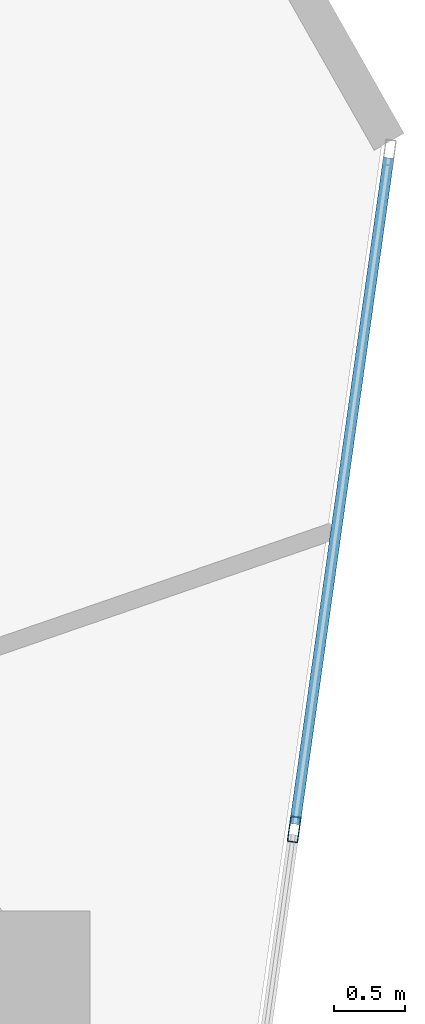
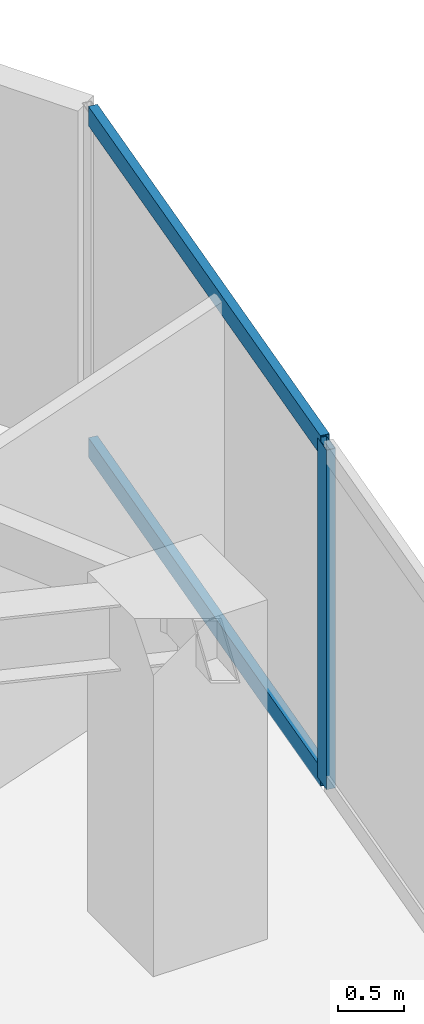
# One storey, part 13 of 21: 3 members, 1 element without a shape of its own.
"""IFC4 building model written with IfcOpenShell, lengths in metres."""

from ifc_helpers import new_model, si_unit, direction, frame, origin, origin_2d, place, context, subcontext, project, spatial, hollow_rectangle, extrude, source, transform, mapped, material, layer, layer_set, material_profile, profile_set, type_object, type_shapes, element, aggregate, save


model = new_model("IFC4")

# Units and contexts
model_context = context("Model", 3, precision=1e-05, world=origin(), true_north=direction((0.0, 1.0)))
body_context = subcontext(model_context, "Body", "Model", "MODEL_VIEW")
ifc_project = project(units=[si_unit("LENGTHUNIT", "METRE"), si_unit("AREAUNIT", "SQUARE_METRE"), si_unit("VOLUMEUNIT", "CUBIC_METRE"), si_unit("PLANEANGLEUNIT", "RADIAN"), si_unit("MASSUNIT", "GRAM", prefix="KILO")], contexts=[model_context])

# Site, building, storey
site_placement = place(None, origin())
site = spatial("IfcSite", under=ifc_project, at=site_placement, CompositionType="ELEMENT")
building_placement = place(site_placement, origin())
building = spatial("IfcBuilding", under=site, at=building_placement, Name="Talar Marvaseh", CompositionType="ELEMENT")
storey_placement = place(building_placement, frame((0.0, 0.0, 232.699951171875)))
storey = spatial("IfcBuildingStorey", under=building, at=storey_placement, Name="L61", CompositionType="ELEMENT", Elevation=232.699951171875)

# Curtain wall, members
ifc_material = material(Name="Architectural Aluminium", Category="aluminium")
ifc_layer = layer(ifc_material, 0.18994140625)
ifc_layer_set = layer_set([ifc_layer], Name="Architectural Aluminium")
curtain_wall_type = type_object("IfcCurtainWallType", Name="Unitised Solar Atelier Curtain Wall Z3", PredefinedType="NOTDEFINED", material=ifc_layer_set)
curtain_wall_placement = place(storey_placement, origin())
curtain_wall = element("IfcCurtainWall", 1, at=curtain_wall_placement, inside=storey, type_object=curtain_wall_type, Name="L61 Unitised Solar Atelier Curtain Wall Z3", PredefinedType="NOTDEFINED")
ifc_material_profile_1 = material_profile(ifc_material, hollow_rectangle(XDim=0.074951171875, YDim=0.179931640625, WallThickness=0.0048828125, at=origin_2d()), Name="RHS180x75x5")
ifc_profile_set_1 = profile_set([ifc_material_profile_1], Name="Architectural Aluminium")
member_type_1 = type_object("IfcMemberType", Name="Unitised Curtain Wall Transom RHS180x75x5", PredefinedType="USERDEFINED", material=ifc_profile_set_1)
shared_shape_1 = source(origin(), body_context, "Body", "SweptSolid", [
    extrude(hollow_rectangle(XDim=0.074951171875, YDim=0.179931640625, WallThickness=0.0048828125, at=origin_2d()), origin(), (0.0, 0.0, 1.0), 4.70947265625),
])
type_shapes(member_type_1, [shared_shape_1])
member_1_placement = place(storey_placement, frame((41.703369140625, 40.65625, 0.03759765625), z_axis=(-0.139345379817, -0.990243841245, 0.0), x_axis=(0.990243841245, -0.139345379817, 0.0)))
member_1 = element("IfcMember", 2, at=member_1_placement, type_object=member_type_1, Name="CW-Z3 transom 1.1", ObjectType="TRANSOM", PredefinedType="USERDEFINED", context=body_context, shape_type="MappedRepresentation", body=[
    mapped(shared_shape_1, transform((0.0, 0.0, 0.0), x_axis=(1.0, 0.0, 0.0), y_axis=(0.0, 1.0, 0.0), z_axis=(0.0, 0.0, 1.0), scale=1.0)),
])
member_2_placement = place(storey_placement, frame((41.703369140625, 40.65625, 3.112548828125), z_axis=(-0.139345379817, -0.990243841245, 0.0), x_axis=(0.990243841245, -0.139345379817, 0.0)))
member_2 = element("IfcMember", 3, at=member_2_placement, type_object=member_type_1, Name="CW-Z3 transom 1.2", ObjectType="TRANSOM", PredefinedType="USERDEFINED", context=body_context, shape_type="MappedRepresentation", body=[
    mapped(shared_shape_1, transform((0.0, 0.0, 0.0), x_axis=(1.0, 0.0, 0.0), y_axis=(0.0, 1.0, 0.0), z_axis=(0.0, 0.0, 1.0), scale=1.0)),
])
ifc_material_profile_2 = material_profile(ifc_material, hollow_rectangle(XDim=0.074951171875, YDim=0.179931640625, WallThickness=0.0048828125, at=origin_2d()), Name="RHS180x75x5")
ifc_profile_set_2 = profile_set([ifc_material_profile_2], Name="Architectural Aluminium")
member_type_2 = type_object("IfcMemberType", Name="Unitised Curtain Wall Standard Mullion RHS180x75x5", PredefinedType="MULLION", material=ifc_profile_set_2)
shared_shape_2 = source(origin(), body_context, "Body", "SweptSolid", [
    extrude(hollow_rectangle(XDim=0.074951171875, YDim=0.179931640625, WallThickness=0.0048828125, at=origin_2d()), origin(), (0.0, 0.0, 1.0), 3.150146484375),
])
type_shapes(member_type_2, [shared_shape_2])
member_3_placement = place(storey_placement, frame((41.0419921875, 35.95556640625, 0.0), z_axis=(0.0, 0.0, 1.0), x_axis=(0.990246936028, -0.139323385282, 0.0)))
member_3 = element("IfcMember", 4, at=member_3_placement, type_object=member_type_2, Name="CW-Z3 mullion 2", PredefinedType="MULLION", context=body_context, shape_type="MappedRepresentation", body=[
    mapped(shared_shape_2, transform((0.0, 0.0, 0.0), x_axis=(1.0, 0.0, 0.0), y_axis=(0.0, 1.0, 0.0), z_axis=(0.0, 0.0, 1.0), scale=1.0)),
])
aggregate(curtain_wall, [member_3, member_1, member_2])

save(model, "model.ifc")
